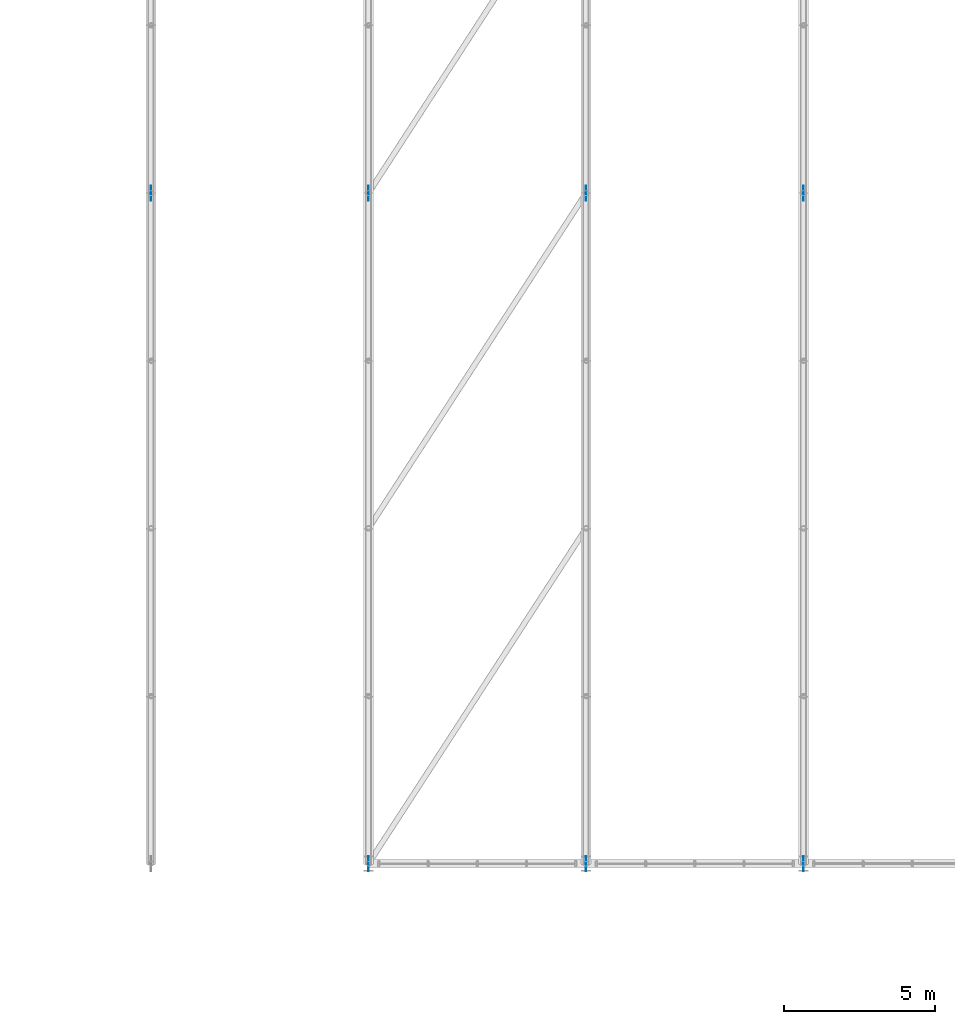
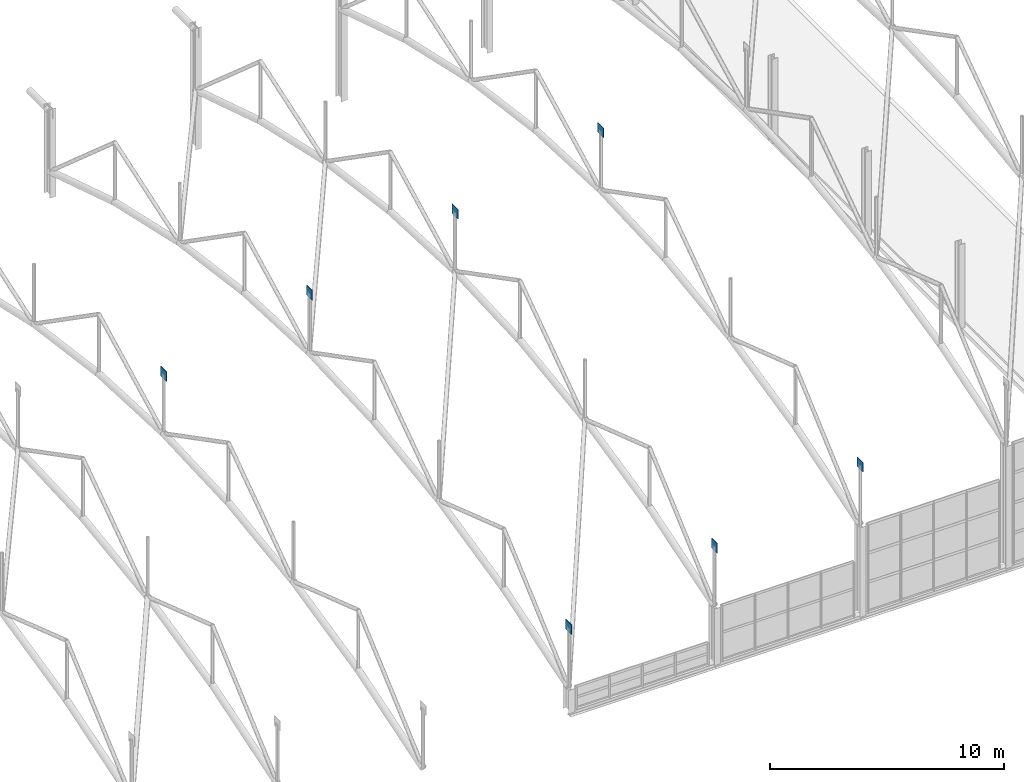
# One storey, part 132 of 153: 7 plates.
"""IFC4 building model written with IfcOpenShell, lengths in metres."""

import ifcopenshell
import ifcopenshell.guid

model = None  # the IFC model being written
_history = None  # IfcOwnerHistory: only IFC2X3 demands one
_inside = {}  # id of a spatial element -> (the spatial element, [elements in it])
_under = {}  # id of a project, library or spatial element -> (it, [spatial elements below it])
_declared = {}  # id of a project -> (the project, [libraries it declares])
_typed = {}  # id of a type object -> (the type object, [elements of that type])
_made_of = {}  # id of a material, layer set ... -> (it, [elements and type objects made of it])


def new_model(schema):
    """Start an empty IFC model of exactly this schema.

    Asked for "IFC4X3", IfcOpenShell would pick the latest addendum, in which some entities
    have other attributes; the version numbers below select the first issue.
    IFC2X3 requires an IfcOwnerHistory on every rooted entity: one is made here for all.
    """
    global model, _history
    if schema == "IFC4X3":
        model = ifcopenshell.file(schema_version=(4, 3, 0, 0))
    else:
        model = ifcopenshell.file(schema=schema)
    _inside.clear()
    _under.clear()
    _declared.clear()
    _typed.clear()
    _made_of.clear()
    _history = None
    if model.schema == "IFC2X3":
        org = make("IfcOrganization", Name="unknown")
        user = make(
            "IfcPersonAndOrganization",
            ThePerson=make("IfcPerson", FamilyName="unknown"),
            TheOrganization=org,
        )
        app = make(
            "IfcApplication",
            ApplicationDeveloper=org,
            Version="unknown",
            ApplicationFullName="unknown",
            ApplicationIdentifier="unknown",
        )
        _history = make(
            "IfcOwnerHistory",
            OwningUser=user,
            OwningApplication=app,
            ChangeAction="ADDED",
            CreationDate=0,
        )
    return model


def make(cls, **values):
    """One entity of the class cls with the attributes given. An attribute that is None is left unset."""
    return model.create_entity(
        cls, **{name: value for name, value in values.items() if value is not None}
    )


def rooted(cls, **values):
    """An entity with a GlobalId (a new one), such as an element, a storey or a relation."""
    return make(cls, GlobalId=ifcopenshell.guid.new(), OwnerHistory=_history, **values)


def si_unit(unit_type, name, prefix=None):
    """IfcSIUnit, for example si_unit("LENGTHUNIT", "METRE", prefix="MILLI")."""
    return make("IfcSIUnit", UnitType=unit_type, Prefix=prefix, Name=name)


def derived_unit(unit_type, elements):
    """IfcDerivedUnit: a product of units, each with its exponent."""
    return make(
        "IfcDerivedUnit",
        Elements=[
            make("IfcDerivedUnitElement", Unit=unit, Exponent=power)
            for unit, power in elements
        ],
        UnitType=unit_type,
    )


def assignment(units):
    """IfcUnitAssignment: the units of a project."""
    return None if units is None else make("IfcUnitAssignment", Units=units)


def point(xyz):
    """IfcCartesianPoint."""
    return None if xyz is None else make("IfcCartesianPoint", Coordinates=xyz)


def direction(xyz):
    """IfcDirection."""
    return None if xyz is None else make("IfcDirection", DirectionRatios=xyz)


def frame(location, z_axis=None, x_axis=None):
    """IfcAxis2Placement3D, a coordinate frame: its origin and axes. An axis left out is left unset."""
    return make(
        "IfcAxis2Placement3D",
        Location=point(location),
        Axis=direction(z_axis),
        RefDirection=direction(x_axis),
    )


def frame_2d(location, x_axis=None):
    """IfcAxis2Placement2D, a coordinate frame in the plane: its origin and x axis."""
    return make(
        "IfcAxis2Placement2D", Location=point(location), RefDirection=direction(x_axis)
    )


def origin():
    """The frame at (0, 0, 0) with its axes left unset."""
    return frame((0.0, 0.0, 0.0))


def origin_2d():
    """The frame at (0, 0) in the plane with its x axis left unset."""
    return frame_2d((0.0, 0.0))


def place(relative_to, where):
    """IfcLocalPlacement: puts the frame where relative to a parent placement (None: the world)."""
    return make(
        "IfcLocalPlacement", PlacementRelTo=relative_to, RelativePlacement=where
    )


def context(
    kind, dimensions, precision=None, world=None, true_north=None, identifier=None
):
    """IfcGeometricRepresentationContext, for example the 3D "Model" context."""
    return make(
        "IfcGeometricRepresentationContext",
        ContextIdentifier=identifier,
        ContextType=kind,
        CoordinateSpaceDimension=dimensions,
        Precision=precision,
        WorldCoordinateSystem=world,
        TrueNorth=true_north,
    )


def subcontext(parent, identifier, kind, view, scale=None):
    """IfcGeometricRepresentationSubContext, for example "Body" below "Model"."""
    return make(
        "IfcGeometricRepresentationSubContext",
        ContextIdentifier=identifier,
        ContextType=kind,
        ParentContext=parent,
        TargetScale=scale,
        TargetView=view,
    )


def project(units=None, contexts=None):
    """IfcProject with its units and contexts."""
    return rooted(
        "IfcProject",
        Name="project",
        RepresentationContexts=contexts,
        UnitsInContext=assignment(units),
    )


def spatial(cls, under=None, at=None, **own):
    """A site, building, storey or space (cls), placed at a placement, below another one or the project."""
    s = rooted(cls, ObjectPlacement=at, **own)
    if under is not None:
        _under.setdefault(under.id(), (under, []))[1].append(s)
    return s


def profile(cls, at=None, kind="AREA", **sizes):
    """A parametric profile (cls). Its sizes go by their IFC names, for example OverallWidth=200.0."""
    return make(cls, ProfileType=kind, Position=at, **sizes)


def rectangle(**sizes):
    """IfcRectangleProfileDef."""
    return profile("IfcRectangleProfileDef", **sizes)


def extrude(swept, where, along, depth):
    """IfcExtrudedAreaSolid: the profile swept, set in the frame where, extruded along a direction by depth."""
    return make(
        "IfcExtrudedAreaSolid",
        SweptArea=swept,
        Position=where,
        ExtrudedDirection=direction(along),
        Depth=depth,
    )


def shape(context_of_items, identifier, shape_type, items):
    """IfcShapeRepresentation: the items that make up one representation, for example the "Body"."""
    return make(
        "IfcShapeRepresentation",
        ContextOfItems=context_of_items,
        RepresentationIdentifier=identifier,
        RepresentationType=shape_type,
        Items=items,
    )


def material(Name=None, Category=None):
    """IfcMaterial."""
    return make("IfcMaterial", Name=Name, Category=Category)


def layer(
    of_material, thickness, ventilated=None, Name=None, Category=None, Priority=None
):
    """IfcMaterialLayer: one layer of a wall or slab, of a material (None: an air gap)."""
    return make(
        "IfcMaterialLayer",
        Material=of_material,
        LayerThickness=thickness,
        IsVentilated=ventilated,
        Name=Name,
        Category=Category,
        Priority=Priority,
    )


def layer_set(layers, Name=None):
    """IfcMaterialLayerSet."""
    return make("IfcMaterialLayerSet", MaterialLayers=layers, LayerSetName=Name)


def made_of(thing, what):
    """Note that an element or type object is made of a material, layer set ...; save() writes the relation."""
    if what is not None:
        _made_of.setdefault(what.id(), (what, []))[1].append(thing)
    return thing


def type_object(cls, material=None, **own):
    """A type object (cls), such as IfcWallType, which elements share."""
    return made_of(rooted(cls, **own), material)


def element(
    cls,
    number,
    at=None,
    inside=None,
    cuts=None,
    type_object=None,
    material=None,
    context=None,
    identifier="Body",
    shape_type=None,
    held_by="IfcProductDefinitionShape",
    body=None,
    shapes=None,
    **own,
):
    """One element of the class cls, such as IfcWall. Its Tag is "e" and its number.

    at: its placement. inside: the storey or other place that contains it. cuts: it is an
    opening in that element (IfcRelVoidsElement). A single representation is given by context,
    identifier, shape_type and body (its items); several are given by shapes. held_by: the class
    of the entity that holds the representations. save() writes the other relations.
    """
    e = rooted(cls, Tag="e%d" % number, ObjectPlacement=at, **own)
    if body is not None:
        shapes = [shape(context, identifier, shape_type, body)]
    if shapes is not None:
        e.Representation = make(held_by, Representations=shapes)
    if inside is not None:
        _inside.setdefault(inside.id(), (inside, []))[1].append(e)
    if cuts is not None:
        rooted(
            "IfcRelVoidsElement", RelatingBuildingElement=cuts, RelatedOpeningElement=e
        )
    if type_object is not None:
        _typed.setdefault(type_object.id(), (type_object, []))[1].append(e)
    return made_of(e, material)


def aggregate(whole, parts):
    """IfcRelAggregates: a whole, such as a stair, and the parts it consists of."""
    return rooted("IfcRelAggregates", RelatingObject=whole, RelatedObjects=parts)


def save(model, path):
    """Write the relations noted so far, then the file.

    IfcRelAggregates (storeys below a building ...), IfcRelContainedInSpatialStructure (elements
    in a storey), IfcRelDefinesByType, IfcRelAssociatesMaterial and IfcRelDeclares: one each for
    every whole, place, type object, material and project.
    """
    for whole, parts in _under.values():
        aggregate(whole, parts)
    for where, things in _inside.values():
        rooted(
            "IfcRelContainedInSpatialStructure",
            RelatedElements=things,
            RelatingStructure=where,
        )
    for kind, things in _typed.values():
        rooted("IfcRelDefinesByType", RelatedObjects=things, RelatingType=kind)
    for what, things in _made_of.values():
        rooted("IfcRelAssociatesMaterial", RelatedObjects=things, RelatingMaterial=what)
    for by, libraries in _declared.values():
        rooted("IfcRelDeclares", RelatingContext=by, RelatedDefinitions=libraries)
    model.write(path)


model = new_model("IFC4")

# Units and contexts
model_context = context("Model", 3, precision=1e-05, world=origin(), true_north=direction((0.0, 1.0)))
body_context = subcontext(model_context, "Body", "Model", "MODEL_VIEW")
ifc_project = project(units=[si_unit("LENGTHUNIT", "METRE"), si_unit("AREAUNIT", "SQUARE_METRE"), si_unit("VOLUMEUNIT", "CUBIC_METRE"), si_unit("PLANEANGLEUNIT", "RADIAN"), si_unit("MASSUNIT", "GRAM", prefix="KILO"), derived_unit("THERMALTRANSMITTANCEUNIT", [(si_unit("POWERUNIT", "WATT"), 1), (si_unit("LENGTHUNIT", "METRE"), -2), (si_unit("THERMODYNAMICTEMPERATUREUNIT", "KELVIN"), -1)])], contexts=[model_context])

# Site, building, storey
site_placement = place(None, origin())
site = spatial("IfcSite", under=ifc_project, at=site_placement, CompositionType="ELEMENT")
building_placement = place(site_placement, origin())
building = spatial("IfcBuilding", under=site, at=building_placement, Name="Keldorne Ridge Multi-Sports Centre", CompositionType="ELEMENT")
storey_placement = place(building_placement, frame((0.0, 0.0, 9.60009765625)))
storey = spatial("IfcBuildingStorey", under=building, at=storey_placement, Name="L02", CompositionType="ELEMENT", Elevation=9.60009765625)

# Plates
ifc_material = material(Name="Steel S355", Category="steel")
ifc_layer = layer(ifc_material, 0.02490234375)
ifc_layer_set = layer_set([ifc_layer], Name="Steel S355")
plate_type = type_object("IfcPlateType", Name="PLT-PL-GS1", PredefinedType="USERDEFINED", material=ifc_layer_set)
for number, where, z_axis, x_axis, name in (
    (1, (42.0, 31.800048828125, 6.369873046875), (0.0, 0.0, 1.0), (1.0, 0.0, 0.0), "Truss node gusset plate TN-017"),
    (2, (49.199951171875, 9.60009765625, 4.08984375), (0.0, 0.0, 1.0), (1.0, 0.0, 0.0), "Truss node gusset plate TN-019"),
    (3, (49.199951171875, 31.800048828125, 8.08984375), (0.0, 0.0, 1.0), (1.0, 0.0, 0.0), "Truss node gusset plate TN-020"),
    (4, (56.39990234375, 9.60009765625, 5.809814453125), (0.0, 0.0, 1.0), (1.0, 0.0, 0.0), "Truss node gusset plate TN-022"),
    (5, (56.39990234375, 31.800048828125, 9.809814453125), (0.0, 0.0, 1.0), (1.0, 0.0, 0.0), "Truss node gusset plate TN-023"),
    (6, (63.60009765625, 9.60009765625, 7.52978515625), (0.0, 0.0, 1.0), (1.0, 0.0, 0.0), "Truss node gusset plate TN-025"),
    (7, (63.60009765625, 31.800048828125, 11.52978515625), (0.0, 0.0, 1.0), (1.0, 0.0, 0.0), "Truss node gusset plate TN-026"),
):
    element("IfcPlate", number, at=place(storey_placement, frame(where, z_axis=z_axis, x_axis=x_axis)), inside=storey, type_object=plate_type, Name=name, ObjectType="GUSSET PLATE", PredefinedType="USERDEFINED", context=body_context, shape_type="SweptSolid", body=[
        extrude(rectangle(XDim=0.02490234375, YDim=0.5, at=origin_2d()), origin(), (0.0, 0.0, 1.0), 0.5),
    ])

save(model, "model.ifc")
